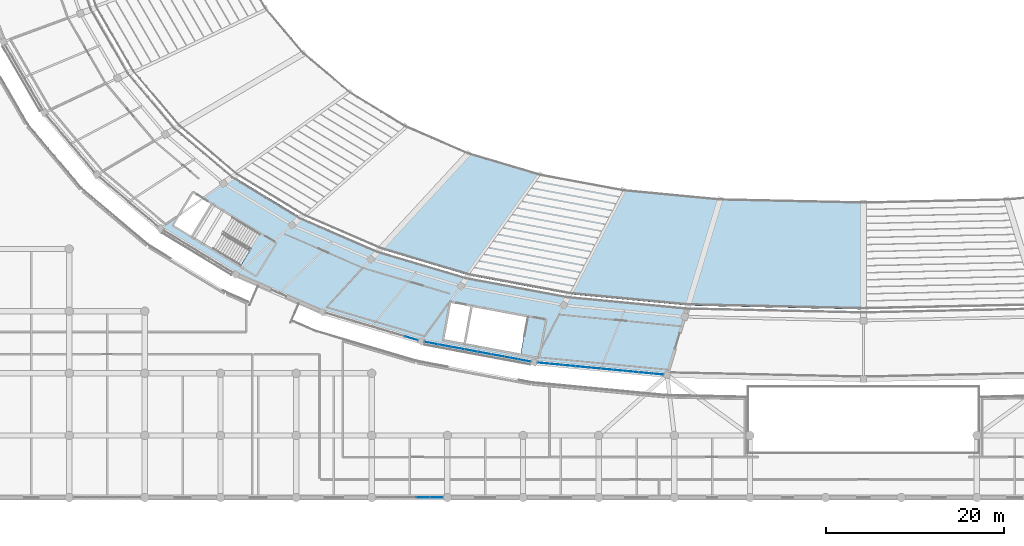
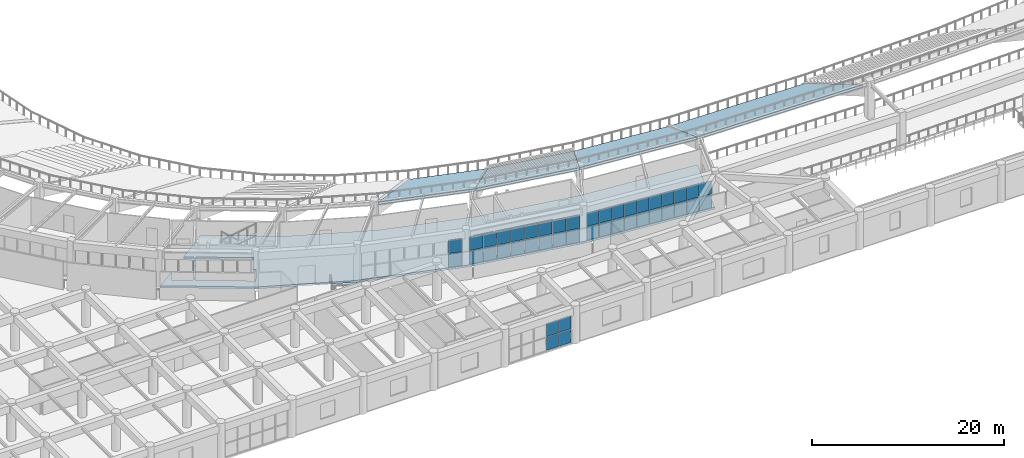
# One storey, part 76 of 137: 42 plates, 5 slabs, 4 elements without a shape of their own.
"""IFC4 building model written with IfcOpenShell, lengths in metres."""

from ifc_helpers import new_model, si_unit, direction, frame, origin, origin_2d, place, context, subcontext, project, spatial, polyline, rectangle, outline, extrude, material, layer, layer_set, type_object, element, aggregate, save


model = new_model("IFC4")

# Units and contexts
model_context = context("Model", 3, precision=1e-05, world=origin(), true_north=direction((0.0, 1.0)))
body_context = subcontext(model_context, "Body", "Model", "MODEL_VIEW")
ifc_project = project(units=[si_unit("LENGTHUNIT", "METRE"), si_unit("AREAUNIT", "SQUARE_METRE"), si_unit("VOLUMEUNIT", "CUBIC_METRE"), si_unit("PLANEANGLEUNIT", "RADIAN"), si_unit("MASSUNIT", "GRAM", prefix="KILO")], contexts=[model_context])

# Site, building, storey
site_placement = place(None, origin())
site = spatial("IfcSite", under=ifc_project, at=site_placement, CompositionType="ELEMENT")
building_placement = place(site_placement, origin())
building = spatial("IfcBuilding", under=site, at=building_placement, Name="Mphavela Belvedere Stadium", CompositionType="ELEMENT")
storey_placement = place(building_placement, frame((0.0, 0.0, 19.199951171875)))
storey = spatial("IfcBuildingStorey", under=building, at=storey_placement, Name="L04", CompositionType="ELEMENT", Elevation=19.199951171875)

# Curtain wall, plates
ifc_material_1 = material(Name="Anodised bronze unitised curtain wall framing")
ifc_layer_1 = layer(ifc_material_1, 0.179931640625)
ifc_layer_set_1 = layer_set([ifc_layer_1], Name="Anodised bronze unitised curtain wall framing")
curtain_wall_type_1 = type_object("IfcCurtainWallType", Name="CW-UNIT-01", PredefinedType="USERDEFINED", material=ifc_layer_set_1)
curtain_wall_1_placement = place(storey_placement, origin())
curtain_wall_1 = element("IfcCurtainWall", 1, at=curtain_wall_1_placement, inside=storey, type_object=curtain_wall_type_1, Name="Belvedere colonnade curtain wall L04-33", ObjectType="UNITISED CURTAIN WALL", PredefinedType="USERDEFINED")
ifc_material_2 = material(Name="Solar-control double glazing", Category="glass")
ifc_layer_2 = layer(ifc_material_2, 0.031982421875)
ifc_layer_set_2 = layer_set([ifc_layer_2], Name="Solar-control double glazing")
plate_type = type_object("IfcPlateType", Name="CWP-SOLAR-GLASS", PredefinedType="CURTAIN_PANEL", material=ifc_layer_set_2)
plate_1_placement = place(storey_placement, frame((64.101806640625, 17.9287109375, 0.06005859375), z_axis=(0.0, 0.0, 1.0), x_axis=(0.958657951671, -0.284560945489, 0.0)))
plate_1 = element("IfcPlate", 2, at=plate_1_placement, type_object=plate_type, Name="CW-01 panel 7.1", PredefinedType="CURTAIN_PANEL", context=body_context, shape_type="SweptSolid", body=[
    extrude(rectangle(XDim=1.462646484375, YDim=0.031982421875, at=origin_2d()), origin(), (0.0, 0.0, 1.0), 1.695068359375),
])
plate_2_placement = place(storey_placement, frame((64.101806640625, 17.9287109375, 1.81494140625), z_axis=(0.0, 0.0, 1.0), x_axis=(0.958657951671, -0.284560945489, 0.0)))
plate_2 = element("IfcPlate", 3, at=plate_2_placement, type_object=plate_type, Name="CW-01 panel 7.2", PredefinedType="CURTAIN_PANEL", context=body_context, shape_type="SweptSolid", body=[
    extrude(rectangle(XDim=1.462646484375, YDim=0.031982421875, at=origin_2d()), origin(), (0.0, 0.0, 1.0), 1.695068359375),
])
aggregate(curtain_wall_1, [plate_1, plate_2])

ifc_material_3 = material(Name="Anodised bronze unitised curtain wall framing")
ifc_layer_3 = layer(ifc_material_3, 0.18505859375)
ifc_layer_set_3 = layer_set([ifc_layer_3], Name="Anodised bronze unitised curtain wall framing")
curtain_wall_type_2 = type_object("IfcCurtainWallType", Name="CW-UNIT-02", PredefinedType="USERDEFINED", material=ifc_layer_set_3)
curtain_wall_2_placement = place(storey_placement, origin())
curtain_wall_2 = element("IfcCurtainWall", 4, at=curtain_wall_2_placement, inside=storey, type_object=curtain_wall_type_2, Name="Belvedere colonnade curtain wall L04-34", ObjectType="UNITISED CURTAIN WALL", PredefinedType="USERDEFINED")
plate_3_placement = place(storey_placement, frame((66.3095703125, 17.396240234375, 0.06005859375), z_axis=(0.0, 0.0, 1.0), x_axis=(0.983096000413, -0.183090835302, 0.0)))
plate_3 = element("IfcPlate", 5, at=plate_3_placement, type_object=plate_type, Name="CW-02 panel 1.1", PredefinedType="CURTAIN_PANEL", context=body_context, shape_type="SweptSolid", body=[
    extrude(rectangle(XDim=1.433837890625, YDim=0.031982421875, at=origin_2d()), origin(), (0.0, 0.0, 1.0), 1.695068359375),
])
plate_4_placement = place(storey_placement, frame((66.3095703125, 17.396240234375, 1.81494140625), z_axis=(0.0, 0.0, 1.0), x_axis=(0.983096000413, -0.183090835302, 0.0)))
plate_4 = element("IfcPlate", 6, at=plate_4_placement, type_object=plate_type, Name="CW-02 panel 1.2", PredefinedType="CURTAIN_PANEL", context=body_context, shape_type="SweptSolid", body=[
    extrude(rectangle(XDim=1.433837890625, YDim=0.031982421875, at=origin_2d()), origin(), (0.0, 0.0, 1.0), 1.695068359375),
])
plate_5_placement = place(storey_placement, frame((67.799072265625, 17.118896484375, 0.06005859375), z_axis=(0.0, 0.0, 1.0), x_axis=(0.983096000413, -0.183090835302, 0.0)))
plate_5 = element("IfcPlate", 7, at=plate_5_placement, type_object=plate_type, Name="CW-02 panel 2.1", PredefinedType="CURTAIN_PANEL", context=body_context, shape_type="SweptSolid", body=[
    extrude(rectangle(XDim=1.46630859375, YDim=0.031982421875, at=origin_2d()), origin(), (0.0, 0.0, 1.0), 1.695068359375),
])
plate_6_placement = place(storey_placement, frame((67.799072265625, 17.118896484375, 1.81494140625), z_axis=(0.0, 0.0, 1.0), x_axis=(0.983096000413, -0.183090835302, 0.0)))
plate_6 = element("IfcPlate", 8, at=plate_6_placement, type_object=plate_type, Name="CW-02 panel 2.2", PredefinedType="CURTAIN_PANEL", context=body_context, shape_type="SweptSolid", body=[
    extrude(rectangle(XDim=1.46630859375, YDim=0.031982421875, at=origin_2d()), origin(), (0.0, 0.0, 1.0), 1.695068359375),
])
plate_7_placement = place(storey_placement, frame((69.3046875, 16.83837890625, 0.06005859375), z_axis=(0.0, 0.0, 1.0), x_axis=(0.983096000413, -0.183090835302, 0.0)))
plate_7 = element("IfcPlate", 9, at=plate_7_placement, type_object=plate_type, Name="CW-02 panel 3.1", PredefinedType="CURTAIN_PANEL", context=body_context, shape_type="SweptSolid", body=[
    extrude(rectangle(XDim=1.46630859375, YDim=0.031982421875, at=origin_2d()), origin(), (0.0, 0.0, 1.0), 1.695068359375),
])
plate_8_placement = place(storey_placement, frame((69.3046875, 16.83837890625, 1.81494140625), z_axis=(0.0, 0.0, 1.0), x_axis=(0.983096000413, -0.183090835302, 0.0)))
plate_8 = element("IfcPlate", 10, at=plate_8_placement, type_object=plate_type, Name="CW-02 panel 3.2", PredefinedType="CURTAIN_PANEL", context=body_context, shape_type="SweptSolid", body=[
    extrude(rectangle(XDim=1.46630859375, YDim=0.031982421875, at=origin_2d()), origin(), (0.0, 0.0, 1.0), 1.695068359375),
])
plate_9_placement = place(storey_placement, frame((70.810302734375, 16.55810546875, 0.06005859375), z_axis=(0.0, 0.0, 1.0), x_axis=(0.983096000413, -0.183090835302, 0.0)))
plate_9 = element("IfcPlate", 11, at=plate_9_placement, type_object=plate_type, Name="CW-02 panel 4.1", PredefinedType="CURTAIN_PANEL", context=body_context, shape_type="SweptSolid", body=[
    extrude(rectangle(XDim=1.46630859375, YDim=0.031982421875, at=origin_2d()), origin(), (0.0, 0.0, 1.0), 1.695068359375),
])
plate_10_placement = place(storey_placement, frame((70.810302734375, 16.55810546875, 1.81494140625), z_axis=(0.0, 0.0, 1.0), x_axis=(0.983096000413, -0.183090835302, 0.0)))
plate_10 = element("IfcPlate", 12, at=plate_10_placement, type_object=plate_type, Name="CW-02 panel 4.2", PredefinedType="CURTAIN_PANEL", context=body_context, shape_type="SweptSolid", body=[
    extrude(rectangle(XDim=1.46630859375, YDim=0.031982421875, at=origin_2d()), origin(), (0.0, 0.0, 1.0), 1.695068359375),
])
plate_11_placement = place(storey_placement, frame((72.315673828125, 16.277587890625, 0.06005859375), z_axis=(0.0, 0.0, 1.0), x_axis=(0.983096000413, -0.183090835302, 0.0)))
plate_11 = element("IfcPlate", 13, at=plate_11_placement, type_object=plate_type, Name="CW-02 panel 5.1", PredefinedType="CURTAIN_PANEL", context=body_context, shape_type="SweptSolid", body=[
    extrude(rectangle(XDim=1.46630859375, YDim=0.031982421875, at=origin_2d()), origin(), (0.0, 0.0, 1.0), 1.695068359375),
])
plate_12_placement = place(storey_placement, frame((72.315673828125, 16.277587890625, 1.81494140625), z_axis=(0.0, 0.0, 1.0), x_axis=(0.983096000413, -0.183090835302, 0.0)))
plate_12 = element("IfcPlate", 14, at=plate_12_placement, type_object=plate_type, Name="CW-02 panel 5.2", PredefinedType="CURTAIN_PANEL", context=body_context, shape_type="SweptSolid", body=[
    extrude(rectangle(XDim=1.46630859375, YDim=0.031982421875, at=origin_2d()), origin(), (0.0, 0.0, 1.0), 1.695068359375),
])
plate_13_placement = place(storey_placement, frame((73.8212890625, 15.997314453125, 0.06005859375), z_axis=(0.0, 0.0, 1.0), x_axis=(0.983096000413, -0.183090835302, 0.0)))
plate_13 = element("IfcPlate", 15, at=plate_13_placement, type_object=plate_type, Name="CW-02 panel 6.1", PredefinedType="CURTAIN_PANEL", context=body_context, shape_type="SweptSolid", body=[
    extrude(rectangle(XDim=1.46630859375, YDim=0.031982421875, at=origin_2d()), origin(), (0.0, 0.0, 1.0), 1.695068359375),
])
plate_14_placement = place(storey_placement, frame((73.8212890625, 15.997314453125, 1.81494140625), z_axis=(0.0, 0.0, 1.0), x_axis=(0.983096000413, -0.183090835302, 0.0)))
plate_14 = element("IfcPlate", 16, at=plate_14_placement, type_object=plate_type, Name="CW-02 panel 6.2", PredefinedType="CURTAIN_PANEL", context=body_context, shape_type="SweptSolid", body=[
    extrude(rectangle(XDim=1.46630859375, YDim=0.031982421875, at=origin_2d()), origin(), (0.0, 0.0, 1.0), 1.695068359375),
])
plate_15_placement = place(storey_placement, frame((75.326904296875, 15.716796875, 0.06005859375), z_axis=(0.0, 0.0, 1.0), x_axis=(0.983096000413, -0.183090835302, 0.0)))
plate_15 = element("IfcPlate", 17, at=plate_15_placement, type_object=plate_type, Name="CW-02 panel 7.1", PredefinedType="CURTAIN_PANEL", context=body_context, shape_type="SweptSolid", body=[
    extrude(rectangle(XDim=1.46630859375, YDim=0.031982421875, at=origin_2d()), origin(), (0.0, 0.0, 1.0), 1.695068359375),
])
plate_16_placement = place(storey_placement, frame((75.326904296875, 15.716796875, 1.81494140625), z_axis=(0.0, 0.0, 1.0), x_axis=(0.983096000413, -0.183090835302, 0.0)))
plate_16 = element("IfcPlate", 18, at=plate_16_placement, type_object=plate_type, Name="CW-02 panel 7.2", PredefinedType="CURTAIN_PANEL", context=body_context, shape_type="SweptSolid", body=[
    extrude(rectangle(XDim=1.46630859375, YDim=0.031982421875, at=origin_2d()), origin(), (0.0, 0.0, 1.0), 1.695068359375),
])
plate_17_placement = place(storey_placement, frame((76.81640625, 15.439453125, 0.06005859375), z_axis=(0.0, 0.0, 1.0), x_axis=(0.983096000413, -0.183090835302, 0.0)))
plate_17 = element("IfcPlate", 19, at=plate_17_placement, type_object=plate_type, Name="CW-02 panel 8.1", PredefinedType="CURTAIN_PANEL", context=body_context, shape_type="SweptSolid", body=[
    extrude(rectangle(XDim=1.433837890625, YDim=0.031982421875, at=origin_2d()), origin(), (0.0, 0.0, 1.0), 1.695068359375),
])
plate_18_placement = place(storey_placement, frame((76.81640625, 15.439453125, 1.81494140625), z_axis=(0.0, 0.0, 1.0), x_axis=(0.983096000413, -0.183090835302, 0.0)))
plate_18 = element("IfcPlate", 20, at=plate_18_placement, type_object=plate_type, Name="CW-02 panel 8.2", PredefinedType="CURTAIN_PANEL", context=body_context, shape_type="SweptSolid", body=[
    extrude(rectangle(XDim=1.433837890625, YDim=0.031982421875, at=origin_2d()), origin(), (0.0, 0.0, 1.0), 1.695068359375),
])
aggregate(curtain_wall_2, [plate_3, plate_4, plate_5, plate_6, plate_7, plate_8, plate_9, plate_10, plate_11, plate_12, plate_13, plate_14, plate_15, plate_16, plate_17, plate_18])

ifc_material_4 = material(Name="Anodised bronze unitised curtain wall framing")
ifc_layer_4 = layer(ifc_material_4, 0.18994140625)
ifc_layer_set_4 = layer_set([ifc_layer_4], Name="Anodised bronze unitised curtain wall framing")
curtain_wall_type_3 = type_object("IfcCurtainWallType", Name="CW-UNIT-03", PredefinedType="USERDEFINED", material=ifc_layer_set_4)
curtain_wall_3_placement = place(storey_placement, origin())
curtain_wall_3 = element("IfcCurtainWall", 21, at=curtain_wall_3_placement, inside=storey, type_object=curtain_wall_type_3, Name="Belvedere colonnade curtain wall L04-35", ObjectType="UNITISED CURTAIN WALL", PredefinedType="USERDEFINED")
plate_19_placement = place(storey_placement, frame((79.0029296875, 15.130126953125, 0.06005859375), z_axis=(0.0, 0.0, 1.0), x_axis=(0.995483672335, -0.094932913757, 0.0)))
plate_19 = element("IfcPlate", 22, at=plate_19_placement, type_object=plate_type, Name="CW-03 panel 1.1", PredefinedType="CURTAIN_PANEL", context=body_context, shape_type="SweptSolid", body=[
    extrude(rectangle(XDim=1.33544921875, YDim=0.031982421875, at=origin_2d()), origin(), (0.0, 0.0, 1.0), 1.695068359375),
])
plate_20_placement = place(storey_placement, frame((79.0029296875, 15.130126953125, 1.81494140625), z_axis=(0.0, 0.0, 1.0), x_axis=(0.995483672335, -0.094932913757, 0.0)))
plate_20 = element("IfcPlate", 23, at=plate_20_placement, type_object=plate_type, Name="CW-03 panel 1.2", PredefinedType="CURTAIN_PANEL", context=body_context, shape_type="SweptSolid", body=[
    extrude(rectangle(XDim=1.33544921875, YDim=0.031982421875, at=origin_2d()), origin(), (0.0, 0.0, 1.0), 1.695068359375),
])
plate_21_placement = place(storey_placement, frame((80.413330078125, 14.99560546875, 0.06005859375), z_axis=(0.0, 0.0, 1.0), x_axis=(0.995483672335, -0.094932913757, 0.0)))
plate_21 = element("IfcPlate", 24, at=plate_21_placement, type_object=plate_type, Name="CW-03 panel 2.1", PredefinedType="CURTAIN_PANEL", context=body_context, shape_type="SweptSolid", body=[
    extrude(rectangle(XDim=1.367919921875, YDim=0.031982421875, at=origin_2d()), origin(), (0.0, 0.0, 1.0), 1.695068359375),
])
plate_22_placement = place(storey_placement, frame((80.413330078125, 14.99560546875, 1.81494140625), z_axis=(0.0, 0.0, 1.0), x_axis=(0.995483672335, -0.094932913757, 0.0)))
plate_22 = element("IfcPlate", 25, at=plate_22_placement, type_object=plate_type, Name="CW-03 panel 2.2", PredefinedType="CURTAIN_PANEL", context=body_context, shape_type="SweptSolid", body=[
    extrude(rectangle(XDim=1.367919921875, YDim=0.031982421875, at=origin_2d()), origin(), (0.0, 0.0, 1.0), 1.695068359375),
])
plate_23_placement = place(storey_placement, frame((81.83984375, 14.859619140625, 0.06005859375), z_axis=(0.0, 0.0, 1.0), x_axis=(0.995483672335, -0.094932913757, 0.0)))
plate_23 = element("IfcPlate", 26, at=plate_23_placement, type_object=plate_type, Name="CW-03 panel 3.1", PredefinedType="CURTAIN_PANEL", context=body_context, shape_type="SweptSolid", body=[
    extrude(rectangle(XDim=1.367919921875, YDim=0.031982421875, at=origin_2d()), origin(), (0.0, 0.0, 1.0), 1.695068359375),
])
plate_24_placement = place(storey_placement, frame((81.83984375, 14.859619140625, 1.81494140625), z_axis=(0.0, 0.0, 1.0), x_axis=(0.995483672335, -0.094932913757, 0.0)))
plate_24 = element("IfcPlate", 27, at=plate_24_placement, type_object=plate_type, Name="CW-03 panel 3.2", PredefinedType="CURTAIN_PANEL", context=body_context, shape_type="SweptSolid", body=[
    extrude(rectangle(XDim=1.367919921875, YDim=0.031982421875, at=origin_2d()), origin(), (0.0, 0.0, 1.0), 1.695068359375),
])
plate_25_placement = place(storey_placement, frame((83.2666015625, 14.723388671875, 0.06005859375), z_axis=(0.0, 0.0, 1.0), x_axis=(0.995483672335, -0.094932913757, 0.0)))
plate_25 = element("IfcPlate", 28, at=plate_25_placement, type_object=plate_type, Name="CW-03 panel 4.1", PredefinedType="CURTAIN_PANEL", context=body_context, shape_type="SweptSolid", body=[
    extrude(rectangle(XDim=1.367919921875, YDim=0.031982421875, at=origin_2d()), origin(), (0.0, 0.0, 1.0), 1.695068359375),
])
plate_26_placement = place(storey_placement, frame((83.2666015625, 14.723388671875, 1.81494140625), z_axis=(0.0, 0.0, 1.0), x_axis=(0.995483672335, -0.094932913757, 0.0)))
plate_26 = element("IfcPlate", 29, at=plate_26_placement, type_object=plate_type, Name="CW-03 panel 4.2", PredefinedType="CURTAIN_PANEL", context=body_context, shape_type="SweptSolid", body=[
    extrude(rectangle(XDim=1.367919921875, YDim=0.031982421875, at=origin_2d()), origin(), (0.0, 0.0, 1.0), 1.695068359375),
])
plate_27_placement = place(storey_placement, frame((84.693115234375, 14.58740234375, 0.06005859375), z_axis=(0.0, 0.0, 1.0), x_axis=(0.995483672335, -0.094932913757, 0.0)))
plate_27 = element("IfcPlate", 30, at=plate_27_placement, type_object=plate_type, Name="CW-03 panel 5.1", PredefinedType="CURTAIN_PANEL", context=body_context, shape_type="SweptSolid", body=[
    extrude(rectangle(XDim=1.367919921875, YDim=0.031982421875, at=origin_2d()), origin(), (0.0, 0.0, 1.0), 1.695068359375),
])
plate_28_placement = place(storey_placement, frame((84.693115234375, 14.58740234375, 1.81494140625), z_axis=(0.0, 0.0, 1.0), x_axis=(0.995483672335, -0.094932913757, 0.0)))
plate_28 = element("IfcPlate", 31, at=plate_28_placement, type_object=plate_type, Name="CW-03 panel 5.2", PredefinedType="CURTAIN_PANEL", context=body_context, shape_type="SweptSolid", body=[
    extrude(rectangle(XDim=1.367919921875, YDim=0.031982421875, at=origin_2d()), origin(), (0.0, 0.0, 1.0), 1.695068359375),
])
plate_29_placement = place(storey_placement, frame((86.11962890625, 14.451416015625, 0.06005859375), z_axis=(0.0, 0.0, 1.0), x_axis=(0.995483672335, -0.094932913757, 0.0)))
plate_29 = element("IfcPlate", 32, at=plate_29_placement, type_object=plate_type, Name="CW-03 panel 6.1", PredefinedType="CURTAIN_PANEL", context=body_context, shape_type="SweptSolid", body=[
    extrude(rectangle(XDim=1.367919921875, YDim=0.031982421875, at=origin_2d()), origin(), (0.0, 0.0, 1.0), 1.695068359375),
])
plate_30_placement = place(storey_placement, frame((86.11962890625, 14.451416015625, 1.81494140625), z_axis=(0.0, 0.0, 1.0), x_axis=(0.995483672335, -0.094932913757, 0.0)))
plate_30 = element("IfcPlate", 33, at=plate_30_placement, type_object=plate_type, Name="CW-03 panel 6.2", PredefinedType="CURTAIN_PANEL", context=body_context, shape_type="SweptSolid", body=[
    extrude(rectangle(XDim=1.367919921875, YDim=0.031982421875, at=origin_2d()), origin(), (0.0, 0.0, 1.0), 1.695068359375),
])
plate_31_placement = place(storey_placement, frame((87.546142578125, 14.3154296875, 0.06005859375), z_axis=(0.0, 0.0, 1.0), x_axis=(0.995483672335, -0.094932913757, 0.0)))
plate_31 = element("IfcPlate", 34, at=plate_31_placement, type_object=plate_type, Name="CW-03 panel 7.1", PredefinedType="CURTAIN_PANEL", context=body_context, shape_type="SweptSolid", body=[
    extrude(rectangle(XDim=1.367919921875, YDim=0.031982421875, at=origin_2d()), origin(), (0.0, 0.0, 1.0), 1.695068359375),
])
plate_32_placement = place(storey_placement, frame((87.546142578125, 14.3154296875, 1.81494140625), z_axis=(0.0, 0.0, 1.0), x_axis=(0.995483672335, -0.094932913757, 0.0)))
plate_32 = element("IfcPlate", 35, at=plate_32_placement, type_object=plate_type, Name="CW-03 panel 7.2", PredefinedType="CURTAIN_PANEL", context=body_context, shape_type="SweptSolid", body=[
    extrude(rectangle(XDim=1.367919921875, YDim=0.031982421875, at=origin_2d()), origin(), (0.0, 0.0, 1.0), 1.695068359375),
])
plate_33_placement = place(storey_placement, frame((88.97265625, 14.17919921875, 0.06005859375), z_axis=(0.0, 0.0, 1.0), x_axis=(0.995483672335, -0.094932913757, 0.0)))
plate_33 = element("IfcPlate", 36, at=plate_33_placement, type_object=plate_type, Name="CW-03 panel 8.1", PredefinedType="CURTAIN_PANEL", context=body_context, shape_type="SweptSolid", body=[
    extrude(rectangle(XDim=1.367919921875, YDim=0.031982421875, at=origin_2d()), origin(), (0.0, 0.0, 1.0), 1.695068359375),
])
plate_34_placement = place(storey_placement, frame((88.97265625, 14.17919921875, 1.81494140625), z_axis=(0.0, 0.0, 1.0), x_axis=(0.995483672335, -0.094932913757, 0.0)))
plate_34 = element("IfcPlate", 37, at=plate_34_placement, type_object=plate_type, Name="CW-03 panel 8.2", PredefinedType="CURTAIN_PANEL", context=body_context, shape_type="SweptSolid", body=[
    extrude(rectangle(XDim=1.367919921875, YDim=0.031982421875, at=origin_2d()), origin(), (0.0, 0.0, 1.0), 1.695068359375),
])
plate_35_placement = place(storey_placement, frame((90.399169921875, 14.043212890625, 0.06005859375), z_axis=(0.0, 0.0, 1.0), x_axis=(0.995483672335, -0.094932913757, 0.0)))
plate_35 = element("IfcPlate", 38, at=plate_35_placement, type_object=plate_type, Name="CW-03 panel 9.1", PredefinedType="CURTAIN_PANEL", context=body_context, shape_type="SweptSolid", body=[
    extrude(rectangle(XDim=1.367919921875, YDim=0.031982421875, at=origin_2d()), origin(), (0.0, 0.0, 1.0), 1.695068359375),
])
plate_36_placement = place(storey_placement, frame((90.399169921875, 14.043212890625, 1.81494140625), z_axis=(0.0, 0.0, 1.0), x_axis=(0.995483672335, -0.094932913757, 0.0)))
plate_36 = element("IfcPlate", 39, at=plate_36_placement, type_object=plate_type, Name="CW-03 panel 9.2", PredefinedType="CURTAIN_PANEL", context=body_context, shape_type="SweptSolid", body=[
    extrude(rectangle(XDim=1.367919921875, YDim=0.031982421875, at=origin_2d()), origin(), (0.0, 0.0, 1.0), 1.695068359375),
])
plate_37_placement = place(storey_placement, frame((91.8095703125, 13.90869140625, 0.06005859375), z_axis=(0.0, 0.0, 1.0), x_axis=(0.995483672335, -0.094932913757, 0.0)))
plate_37 = element("IfcPlate", 40, at=plate_37_placement, type_object=plate_type, Name="CW-03 panel 10.1", PredefinedType="CURTAIN_PANEL", context=body_context, shape_type="SweptSolid", body=[
    extrude(rectangle(XDim=1.33544921875, YDim=0.031982421875, at=origin_2d()), origin(), (0.0, 0.0, 1.0), 1.695068359375),
])
plate_38_placement = place(storey_placement, frame((91.8095703125, 13.90869140625, 1.81494140625), z_axis=(0.0, 0.0, 1.0), x_axis=(0.995483672335, -0.094932913757, 0.0)))
plate_38 = element("IfcPlate", 41, at=plate_38_placement, type_object=plate_type, Name="CW-03 panel 10.2", PredefinedType="CURTAIN_PANEL", context=body_context, shape_type="SweptSolid", body=[
    extrude(rectangle(XDim=1.33544921875, YDim=0.031982421875, at=origin_2d()), origin(), (0.0, 0.0, 1.0), 1.695068359375),
])
aggregate(curtain_wall_3, [plate_19, plate_20, plate_21, plate_22, plate_23, plate_24, plate_25, plate_26, plate_27, plate_28, plate_29, plate_30, plate_31, plate_32, plate_33, plate_34, plate_35, plate_36, plate_37, plate_38])

ifc_material_5 = material(Name="Anodised bronze unitised curtain wall framing")
ifc_layer_5 = layer(ifc_material_5, 0.195068359375)
ifc_layer_set_5 = layer_set([ifc_layer_5], Name="Anodised bronze unitised curtain wall framing")
curtain_wall_type_4 = type_object("IfcCurtainWallType", Name="CW-UNIT-04", PredefinedType="USERDEFINED", material=ifc_layer_set_5)
curtain_wall_4_placement = place(storey_placement, origin())
curtain_wall_4 = element("IfcCurtainWall", 42, at=curtain_wall_4_placement, inside=storey, type_object=curtain_wall_type_4, Name="South Axial Triumphal Peristyle Portico gallery curtain wall L04-08", ObjectType="UNITISED CURTAIN WALL", PredefinedType="USERDEFINED")
plate_39_placement = place(storey_placement, frame((66.901611328125, 0.0, 0.06005859375), z_axis=(0.0, 0.0, 1.0), x_axis=(-1.0, 0.0, 0.0)))
plate_39 = element("IfcPlate", 43, at=plate_39_placement, type_object=plate_type, Name="CW-04 panel 1.1", PredefinedType="CURTAIN_PANEL", context=body_context, shape_type="SweptSolid", body=[
    extrude(rectangle(XDim=1.4169921875, YDim=0.031982421875, at=origin_2d()), origin(), (0.0, 0.0, 1.0), 1.68994140625),
])
plate_40_placement = place(storey_placement, frame((66.901611328125, 0.0, 1.81005859375), z_axis=(0.0, 0.0, 1.0), x_axis=(-1.0, 0.0, 0.0)))
plate_40 = element("IfcPlate", 44, at=plate_40_placement, type_object=plate_type, Name="CW-04 panel 1.2", PredefinedType="CURTAIN_PANEL", context=body_context, shape_type="SweptSolid", body=[
    extrude(rectangle(XDim=1.4169921875, YDim=0.031982421875, at=origin_2d()), origin(), (0.0, 0.0, 1.0), 1.68994140625),
])
plate_41_placement = place(storey_placement, frame((65.4033203125, 0.0, 0.06005859375), z_axis=(0.0, 0.0, 1.0), x_axis=(-1.0, 0.0, 0.0)))
plate_41 = element("IfcPlate", 45, at=plate_41_placement, type_object=plate_type, Name="CW-04 panel 2.1", PredefinedType="CURTAIN_PANEL", context=body_context, shape_type="SweptSolid", body=[
    extrude(rectangle(XDim=1.449462890625, YDim=0.031982421875, at=origin_2d()), origin(), (0.0, 0.0, 1.0), 1.68994140625),
])
plate_42_placement = place(storey_placement, frame((65.4033203125, 0.0, 1.81005859375), z_axis=(0.0, 0.0, 1.0), x_axis=(-1.0, 0.0, 0.0)))
plate_42 = element("IfcPlate", 46, at=plate_42_placement, type_object=plate_type, Name="CW-04 panel 2.2", PredefinedType="CURTAIN_PANEL", context=body_context, shape_type="SweptSolid", body=[
    extrude(rectangle(XDim=1.449462890625, YDim=0.031982421875, at=origin_2d()), origin(), (0.0, 0.0, 1.0), 1.68994140625),
])
aggregate(curtain_wall_4, [plate_39, plate_40, plate_41, plate_42])

# Slabs
ifc_material_6 = material(Name="Concrete C40/50", Category="concrete")
ifc_layer_6 = layer(ifc_material_6, 0.25)
ifc_layer_set_6 = layer_set([ifc_layer_6], Name="Concrete C40/50")
slab_type_1 = type_object("IfcSlabType", Name="SLB-CONCOURSE-250", PredefinedType="FLOOR", material=ifc_layer_set_6)
slab_1_placement = place(storey_placement, frame((0.0, 0.0, -0.25)))
element("IfcSlab", 47, at=slab_1_placement, inside=storey, type_object=slab_type_1, Name="Concourse sector slab L04-S6", PredefinedType="FLOOR", context=body_context, shape_type="SweptSolid", body=[
    extrude(outline(polyline([(65.19873046875, 17.60302734375), (54.0625, 20.90869140625), (44.3037109375, 25.13916015625), (35.844482421875, 30.285400390625), (38.10791015625, 31.9072265625), (37.356689453125, 30.67236328125), (39.28759765625, 29.498046875), (41.465087890625, 33.077880859375), (40.532958984375, 33.644775390625), (44.05859375, 36.1708984375), (51.64013671875, 31.55859375), (60.385986328125, 27.767333984375), (70.366943359375, 24.8046875), (81.7744140625, 22.68017578125), (95.180419921875, 21.40185546875), (92.885498046875, 13.80615234375), (77.92724609375, 15.232666015625), (65.19873046875, 17.60302734375)]), holes=[polyline([(45.943359375, 27.901611328125), (45.65625, 28.076416015625), (46.7451171875, 29.8662109375), (41.653076171875, 32.96337890625), (39.4755859375, 29.383544921875), (44.8544921875, 26.11181640625), (45.943359375, 27.901611328125)]), polyline([(70.2099609375, 17.35888671875), (76.3994140625, 16.206298828125), (77.16650390625, 20.325439453125), (70.97705078125, 21.47802734375), (70.2099609375, 17.35888671875)]), polyline([(67.771728515625, 17.81298828125), (69.99365234375, 17.399169921875), (70.7607421875, 21.518310546875), (68.538818359375, 21.93212890625), (67.771728515625, 17.81298828125)])]), origin(), (0.0, 0.0, 1.0), 0.25),
])
ifc_material_7 = material(Name="Precast concrete C45/55", Category="concrete")
ifc_layer_7 = layer(ifc_material_7, 0.25)
ifc_layer_set_7 = layer_set([ifc_layer_7], Name="Precast concrete C45/55")
slab_type_2 = type_object("IfcSlabType", Name="SLB-TIER-UPPER", PredefinedType="USERDEFINED", material=ifc_layer_set_7)
slab_2_placement = place(storey_placement, frame((70.504150390625, 38.740966796875, -3.75), z_axis=(0.134764194667, 0.453999078791, 0.880751638257), x_axis=(0.958655220864, -0.28457014514, 2.48077e-06)))
element("IfcSlab", 48, at=slab_2_placement, inside=storey, type_object=slab_type_2, Name="Upper seating tier slab L04-33", ObjectType="SEATING TIER", PredefinedType="USERDEFINED", context=body_context, shape_type="SweptSolid", body=[
    extrude(outline(polyline([(0.0, 0.0), (8.482293570873965, -4.440892098500626e-16), (3.9663189080498307, -14.781057093001863), (-6.390057906798805, -14.78115577655728), (0.0, 0.0)])), origin(), (0.0, 0.0, -1.0), 0.25),
])
slab_3_placement = place(storey_placement, frame((78.6357421875, 36.3271484375, -3.75), z_axis=(0.089590628161, 0.48101980308, 0.872120099752), x_axis=(0.983094579971, -0.183098462105, -2.379002e-06)))
element("IfcSlab", 49, at=slab_3_placement, inside=storey, type_object=slab_type_2, Name="Upper seating tier slab L04-34", ObjectType="SEATING TIER", PredefinedType="USERDEFINED", context=body_context, shape_type="SweptSolid", body=[
    extrude(outline(polyline([(0.0, 0.0), (9.453762833660969, 0.0), (5.694227244845256, -14.30641711319916), (-5.848335345226333, -14.30631502629284), (0.0, 0.0)])), origin(), (0.0, 0.0, -1.0), 0.25),
])
slab_4_placement = place(storey_placement, frame((87.9296875, 34.59619140625, -3.75), z_axis=(0.04755214528, 0.498710276017, 0.865463375351), x_axis=(0.995484581752, -0.094923376943, 2.121477e-06)))
element("IfcSlab", 50, at=slab_4_placement, inside=storey, type_object=slab_type_2, Name="Upper seating tier slab L04-35", ObjectType="SEATING TIER", PredefinedType="USERDEFINED", context=body_context, shape_type="SweptSolid", body=[
    extrude(outline(polyline([(0.0, 0.0), (10.971907310655197, 1.1102230246251565e-16), (8.541466471029594, -13.972795035418738), (-4.85446120757324, -13.972898226370868), (0.0, 0.0)])), origin(), (0.0, 0.0, -1.0), 0.25),
])
slab_5_placement = place(storey_placement, frame((98.85205078125, 33.5546875, -3.75), z_axis=(0.01092721603, 0.507481607942, 0.861593299388), x_axis=(0.999768306672, -0.021525170699, -1.22567e-06)))
element("IfcSlab", 51, at=slab_5_placement, inside=storey, type_object=slab_type_2, Name="Upper seating tier slab L04-36", ObjectType="SEATING TIER", PredefinedType="USERDEFINED", context=body_context, shape_type="SweptSolid", body=[
    extrude(outline(polyline([(0.0, 0.0), (16.151691206773513, -5.551115123125783e-17), (16.407498980704798, -13.790446450163945), (-3.312403877888718, -13.790359833111165), (0.0, 0.0)])), origin(), (0.0, 0.0, -1.0), 0.25),
])

save(model, "model.ifc")
